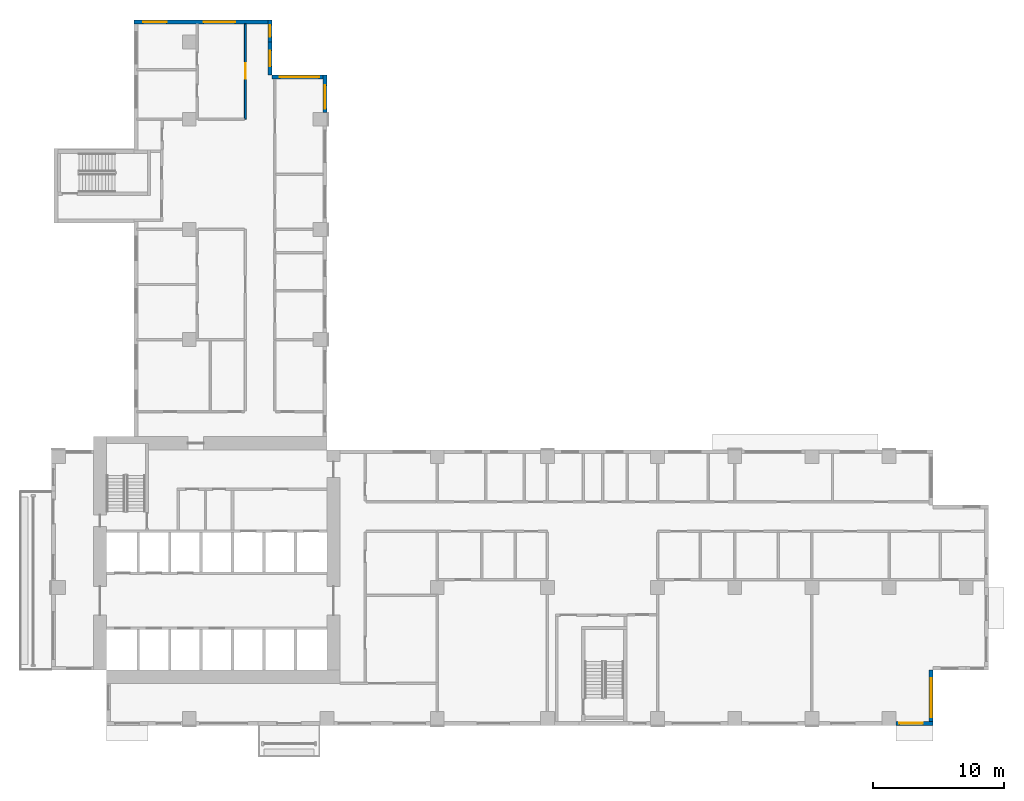
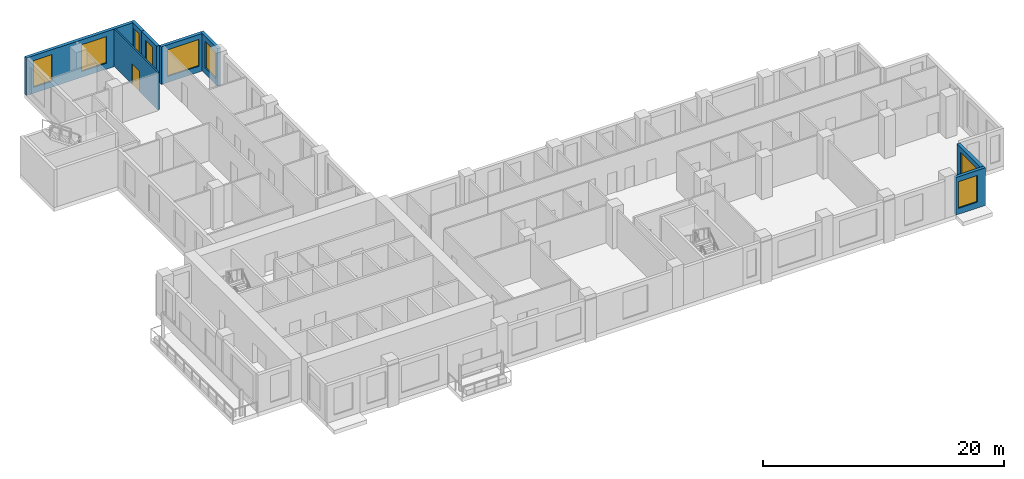
# One storey, part 7 of 13: 8 walls, 8 windows, 1 door, 9 openings.
"""IFC4 building model written with IfcOpenShell, lengths in metres."""

from ifc_helpers import new_model, si_unit, direction, frame, frame_2d, origin, place, context, subcontext, project, spatial, rectangle, extrude, source, transform, mapped, material, layer, layer_set, type_object, element, fill, save


model = new_model("IFC4")

# Units and contexts
model_context = context("Model", 3, precision=1e-05, world=origin(), true_north=direction((0.0, 1.0)))
body_context = subcontext(model_context, "Body", "Model", "MODEL_VIEW")
ifc_project = project(units=[si_unit("LENGTHUNIT", "METRE"), si_unit("AREAUNIT", "SQUARE_METRE"), si_unit("VOLUMEUNIT", "CUBIC_METRE"), si_unit("PLANEANGLEUNIT", "RADIAN"), si_unit("MASSUNIT", "GRAM", prefix="KILO")], contexts=[model_context])

# Site, building, storey
site_placement = place(None, origin())
site = spatial("IfcSite", under=ifc_project, at=site_placement, CompositionType="ELEMENT")
building_placement = place(site_placement, origin())
building = spatial("IfcBuilding", under=site, at=building_placement, Name="Aurelian Terraces", CompositionType="ELEMENT")
storey_placement = place(building_placement, frame((0.0, 0.0, 158.1)))
storey = spatial("IfcBuildingStorey", under=building, at=storey_placement, Name="L35", CompositionType="ELEMENT", Elevation=158.1)

# Wall, opening, window
ifc_material_1 = material(Name="Terracotta rainscreen cladding", Category="masonry")
ifc_layer_1 = layer(ifc_material_1, 0.3)
ifc_layer_set_1 = layer_set([ifc_layer_1], Name="EW-300")
wall_type_1 = type_object("IfcWallType", Name="EW-300", PredefinedType="STANDARD", material=ifc_layer_set_1)
shared_shape_1 = source(origin(), body_context, "Body", "SweptSolid", [
    extrude(rectangle(XDim=4.2, YDim=0.3, at=frame_2d((2.1, 0.0))), origin(), (0.0, 0.0, 1.0), 3.8),
])
wall_1_placement = place(storey_placement, frame((67.05, 0.0, 0.0), z_axis=(0.0, 0.0, 1.0), x_axis=(0.0, 1.0, 0.0)))
wall_1 = element("IfcWall", 1, at=wall_1_placement, inside=storey, type_object=wall_type_1, Name="External wall L35 F02.12", PredefinedType="STANDARD", context=body_context, shape_type="MappedRepresentation", body=[
    mapped(shared_shape_1, transform((0.0, 0.0, 0.0), scale=1.0)),
])
shared_shape_2 = source(origin(), body_context, "Body", "SweptSolid", [
    extrude(rectangle(XDim=3.0, YDim=2.7, at=frame_2d((1.5, 1.35))), frame((0.0, 0.16, 0.0), z_axis=(0.0, -1.0, 0.0), x_axis=(1.0, 0.0, 0.0)), (0.0, 0.0, 1.0), 0.32),
])
opening_1_placement = place(wall_1_placement, frame((0.6, 0.0, 0.6)))
opening_1 = element("IfcOpeningElement", 2, at=opening_1_placement, cuts=wall_1, Name="Opening W3027", PredefinedType="OPENING", context=body_context, shape_type="MappedRepresentation", body=[
    mapped(shared_shape_2, transform((0.0, 0.0, 0.0), scale=1.0)),
])
ifc_material_2 = material(Name="Clear glazing", Category="glass")
window_type_1 = type_object("IfcWindowType", Name="W-3000x2700", PartitioningType="SINGLE_PANEL", PredefinedType="WINDOW", material=ifc_material_2)
shared_shape_3 = source(origin(), body_context, "Body", "SweptSolid", [
    extrude(rectangle(XDim=3.0, YDim=2.7, at=frame_2d((1.5, 1.35))), frame((0.0, 0.03, 0.0), z_axis=(0.0, -1.0, 0.0), x_axis=(1.0, 0.0, 0.0)), (0.0, 0.0, 1.0), 0.06),
])
window_1_placement = place(opening_1_placement, origin())
window_1 = element("IfcWindow", 3, at=window_1_placement, inside=storey, type_object=window_type_1, Name="Window L35 L35-F02-12-0", OverallHeight=2.7, OverallWidth=3.0, PartitioningType="SINGLE_PANEL", PredefinedType="WINDOW", context=body_context, shape_type="MappedRepresentation", body=[
    mapped(shared_shape_3, transform((0.0, 0.0, 0.0), scale=1.0)),
])
fill(opening_1, window_1)

wall_2_placement = place(storey_placement, frame((21.0, 49.41, 0.0), z_axis=(0.0, 0.0, 1.0), x_axis=(-1.0, 0.0, 0.0)))
wall_2 = element("IfcWall", 4, at=wall_2_placement, inside=storey, type_object=wall_type_1, Name="External wall L35 F09.25", PredefinedType="STANDARD", context=body_context, shape_type="MappedRepresentation", body=[
    mapped(shared_shape_1, transform((0.0, 0.0, 0.0), scale=1.0)),
])
opening_2_placement = place(wall_2_placement, frame((0.6, 0.0, 0.6)))
opening_2 = element("IfcOpeningElement", 5, at=opening_2_placement, cuts=wall_2, Name="Opening W3027", PredefinedType="OPENING", context=body_context, shape_type="MappedRepresentation", body=[
    mapped(shared_shape_2, transform((0.0, 0.0, 0.0), scale=1.0)),
])
window_2_placement = place(opening_2_placement, origin())
window_2 = element("IfcWindow", 6, at=window_2_placement, inside=storey, type_object=window_type_1, Name="Window L35 L35-F09-25-0", OverallHeight=2.7, OverallWidth=3.0, PartitioningType="SINGLE_PANEL", PredefinedType="WINDOW", context=body_context, shape_type="MappedRepresentation", body=[
    mapped(shared_shape_3, transform((0.0, 0.0, 0.0), scale=1.0)),
])
fill(opening_2, window_2)

shared_shape_4 = source(origin(), body_context, "Body", "SweptSolid", [
    extrude(rectangle(XDim=2.52, YDim=0.3, at=frame_2d((1.26, 0.0))), origin(), (0.0, 0.0, 1.0), 3.8),
])
wall_3_placement = place(storey_placement, frame((16.65, 49.56, 0.0), z_axis=(0.0, 0.0, 1.0), x_axis=(0.0, 1.0, 0.0)))
wall_3 = element("IfcWall", 7, at=wall_3_placement, inside=storey, type_object=wall_type_1, Name="External wall L35 F10.26", PredefinedType="STANDARD", context=body_context, shape_type="MappedRepresentation", body=[
    mapped(shared_shape_4, transform((0.0, 0.0, 0.0), scale=1.0)),
])
shared_shape_5 = source(origin(), body_context, "Body", "SweptSolid", [
    extrude(rectangle(XDim=1.2, YDim=2.7, at=frame_2d((0.6, 1.35))), frame((0.0, 0.16, 0.0), z_axis=(0.0, -1.0, 0.0), x_axis=(1.0, 0.0, 0.0)), (0.0, 0.0, 1.0), 0.32),
])
opening_3_placement = place(wall_3_placement, frame((0.66, 0.0, 0.6)))
opening_3 = element("IfcOpeningElement", 8, at=opening_3_placement, cuts=wall_3, Name="Opening W1227", PredefinedType="OPENING", context=body_context, shape_type="MappedRepresentation", body=[
    mapped(shared_shape_5, transform((0.0, 0.0, 0.0), scale=1.0)),
])
window_type_2 = type_object("IfcWindowType", Name="W-1200x2700", PartitioningType="SINGLE_PANEL", PredefinedType="WINDOW", material=ifc_material_2)
shared_shape_6 = source(origin(), body_context, "Body", "SweptSolid", [
    extrude(rectangle(XDim=1.2, YDim=2.7, at=frame_2d((0.6, 1.35))), frame((0.0, 0.03, 0.0), z_axis=(0.0, -1.0, 0.0), x_axis=(1.0, 0.0, 0.0)), (0.0, 0.0, 1.0), 0.06),
])
window_3_placement = place(opening_3_placement, origin())
window_3 = element("IfcWindow", 9, at=window_3_placement, inside=storey, type_object=window_type_2, Name="Window L35 L35-F10-26-0", OverallHeight=2.7, OverallWidth=1.2, PartitioningType="SINGLE_PANEL", PredefinedType="WINDOW", context=body_context, shape_type="MappedRepresentation", body=[
    mapped(shared_shape_6, transform((0.0, 0.0, 0.0), scale=1.0)),
])
fill(opening_3, window_3)

shared_shape_7 = source(origin(), body_context, "Body", "SweptSolid", [
    extrude(rectangle(XDim=1.68, YDim=0.3, at=frame_2d((0.84, 0.0))), origin(), (0.0, 0.0, 1.0), 3.8),
])
wall_4_placement = place(storey_placement, frame((16.65, 52.08, 0.0), z_axis=(0.0, 0.0, 1.0), x_axis=(0.0, 1.0, 0.0)))
wall_4 = element("IfcWall", 10, at=wall_4_placement, inside=storey, type_object=wall_type_1, Name="External wall L35 F10.27", PredefinedType="STANDARD", context=body_context, shape_type="MappedRepresentation", body=[
    mapped(shared_shape_7, transform((0.0, 0.0, 0.0), scale=1.0)),
])
shared_shape_8 = source(origin(), body_context, "Body", "SweptSolid", [
    extrude(rectangle(XDim=0.9, YDim=2.7, at=frame_2d((0.45, 1.35))), frame((0.0, 0.16, 0.0), z_axis=(0.0, -1.0, 0.0), x_axis=(1.0, 0.0, 0.0)), (0.0, 0.0, 1.0), 0.32),
])
opening_4_placement = place(wall_4_placement, frame((0.39, 0.0, 0.6)))
opening_4 = element("IfcOpeningElement", 11, at=opening_4_placement, cuts=wall_4, Name="Opening W0927", PredefinedType="OPENING", context=body_context, shape_type="MappedRepresentation", body=[
    mapped(shared_shape_8, transform((0.0, 0.0, 0.0), scale=1.0)),
])
window_type_3 = type_object("IfcWindowType", Name="W-900x2700", PartitioningType="SINGLE_PANEL", PredefinedType="WINDOW", material=ifc_material_2)
shared_shape_9 = source(origin(), body_context, "Body", "SweptSolid", [
    extrude(rectangle(XDim=0.9, YDim=2.7, at=frame_2d((0.45, 1.35))), frame((0.0, 0.03, 0.0), z_axis=(0.0, -1.0, 0.0), x_axis=(1.0, 0.0, 0.0)), (0.0, 0.0, 1.0), 0.06),
])
window_4_placement = place(opening_4_placement, origin())
window_4 = element("IfcWindow", 12, at=window_4_placement, inside=storey, type_object=window_type_3, Name="Window L35 L35-F10-27-P0", OverallHeight=2.7, OverallWidth=0.9, PartitioningType="SINGLE_PANEL", PredefinedType="WINDOW", context=body_context, shape_type="MappedRepresentation", body=[
    mapped(shared_shape_9, transform((0.0, 0.0, 0.0), scale=1.0)),
])
fill(opening_4, window_4)

shared_shape_10 = source(origin(), body_context, "Body", "SweptSolid", [
    extrude(rectangle(XDim=2.835, YDim=0.3, at=frame_2d((1.4175, 0.0))), origin(), (0.0, 0.0, 1.0), 3.8),
])
wall_5_placement = place(storey_placement, frame((64.365, 0.15, 0.0), z_axis=(0.0, 0.0, 1.0), x_axis=(1.0, 0.0, 0.0)))
wall_5 = element("IfcWall", 13, at=wall_5_placement, inside=storey, type_object=wall_type_1, Name="External wall L35 F01.11", PredefinedType="STANDARD", context=body_context, shape_type="MappedRepresentation", body=[
    mapped(shared_shape_10, transform((0.0, 0.0, 0.0), scale=1.0)),
])
shared_shape_11 = source(origin(), body_context, "Body", "SweptSolid", [
    extrude(rectangle(XDim=1.8, YDim=2.7, at=frame_2d((0.9, 1.35))), frame((0.0, 0.16, 0.0), z_axis=(0.0, -1.0, 0.0), x_axis=(1.0, 0.0, 0.0)), (0.0, 0.0, 1.0), 0.32),
])
opening_5_placement = place(wall_5_placement, frame((0.255, 0.0, 0.6)))
opening_5 = element("IfcOpeningElement", 14, at=opening_5_placement, cuts=wall_5, Name="Opening W1827", PredefinedType="OPENING", context=body_context, shape_type="MappedRepresentation", body=[
    mapped(shared_shape_11, transform((0.0, 0.0, 0.0), scale=1.0)),
])
window_type_4 = type_object("IfcWindowType", Name="W-1800x2700", PartitioningType="SINGLE_PANEL", PredefinedType="WINDOW", material=ifc_material_2)
shared_shape_12 = source(origin(), body_context, "Body", "SweptSolid", [
    extrude(rectangle(XDim=1.8, YDim=2.7, at=frame_2d((0.9, 1.35))), frame((0.0, 0.03, 0.0), z_axis=(0.0, -1.0, 0.0), x_axis=(1.0, 0.0, 0.0)), (0.0, 0.0, 1.0), 0.06),
])
window_5_placement = place(opening_5_placement, origin())
window_5 = element("IfcWindow", 15, at=window_5_placement, inside=storey, type_object=window_type_4, Name="Window L35 L35-F01-11-0", OverallHeight=2.7, OverallWidth=1.8, PartitioningType="SINGLE_PANEL", PredefinedType="WINDOW", context=body_context, shape_type="MappedRepresentation", body=[
    mapped(shared_shape_12, transform((0.0, 0.0, 0.0), scale=1.0)),
])
fill(opening_5, window_5)

wall_6_placement = place(storey_placement, frame((20.85, 46.725, 0.0), z_axis=(0.0, 0.0, 1.0), x_axis=(0.0, 1.0, 0.0)))
wall_6 = element("IfcWall", 16, at=wall_6_placement, inside=storey, type_object=wall_type_1, Name="External wall L35 F08.24", PredefinedType="STANDARD", context=body_context, shape_type="MappedRepresentation", body=[
    mapped(shared_shape_10, transform((0.0, 0.0, 0.0), scale=1.0)),
])
opening_6_placement = place(wall_6_placement, frame((0.255, 0.0, 0.6)))
opening_6 = element("IfcOpeningElement", 17, at=opening_6_placement, cuts=wall_6, Name="Opening W1827", PredefinedType="OPENING", context=body_context, shape_type="MappedRepresentation", body=[
    mapped(shared_shape_11, transform((0.0, 0.0, 0.0), scale=1.0)),
])
window_6_placement = place(opening_6_placement, origin())
window_6 = element("IfcWindow", 18, at=window_6_placement, inside=storey, type_object=window_type_4, Name="Window L35 L35-F08-24-0", OverallHeight=2.7, OverallWidth=1.8, PartitioningType="SINGLE_PANEL", PredefinedType="WINDOW", context=body_context, shape_type="MappedRepresentation", body=[
    mapped(shared_shape_12, transform((0.0, 0.0, 0.0), scale=1.0)),
])
fill(opening_6, window_6)

# Wall, openings, windows
shared_shape_13 = source(origin(), body_context, "Body", "SweptSolid", [
    extrude(rectangle(XDim=10.5, YDim=0.3, at=frame_2d((5.25, 0.0))), origin(), (0.0, 0.0, 1.0), 3.8),
])
wall_7_placement = place(storey_placement, frame((16.8, 53.61, 0.0), z_axis=(0.0, 0.0, 1.0), x_axis=(-1.0, 0.0, 0.0)))
wall_7 = element("IfcWall", 19, at=wall_7_placement, inside=storey, type_object=wall_type_1, Name="External wall L35 F11.28", PredefinedType="STANDARD", context=body_context, shape_type="MappedRepresentation", body=[
    mapped(shared_shape_13, transform((0.0, 0.0, 0.0), scale=1.0)),
])
opening_7_placement = place(wall_7_placement, frame((8.025, 0.0, 0.6)))
opening_7 = element("IfcOpeningElement", 20, at=opening_7_placement, cuts=wall_7, Name="Opening W1827", PredefinedType="OPENING", context=body_context, shape_type="MappedRepresentation", body=[
    mapped(shared_shape_11, transform((0.0, 0.0, 0.0), scale=1.0)),
])
shared_shape_14 = source(origin(), body_context, "Body", "SweptSolid", [
    extrude(rectangle(XDim=2.4, YDim=2.7, at=frame_2d((1.2, 1.35))), frame((0.0, 0.16, 0.0), z_axis=(0.0, -1.0, 0.0), x_axis=(1.0, 0.0, 0.0)), (0.0, 0.0, 1.0), 0.32),
])
opening_8_placement = place(wall_7_placement, frame((2.8125, 0.0, 0.6)))
opening_8 = element("IfcOpeningElement", 21, at=opening_8_placement, cuts=wall_7, Name="Opening W2427", PredefinedType="OPENING", context=body_context, shape_type="MappedRepresentation", body=[
    mapped(shared_shape_14, transform((0.0, 0.0, 0.0), scale=1.0)),
])
window_type_5 = type_object("IfcWindowType", Name="W-2400x2700", PartitioningType="SINGLE_PANEL", PredefinedType="WINDOW", material=ifc_material_2)
shared_shape_15 = source(origin(), body_context, "Body", "SweptSolid", [
    extrude(rectangle(XDim=2.4, YDim=2.7, at=frame_2d((1.2, 1.35))), frame((0.0, 0.03, 0.0), z_axis=(0.0, -1.0, 0.0), x_axis=(1.0, 0.0, 0.0)), (0.0, 0.0, 1.0), 0.06),
])
window_7_placement = place(opening_8_placement, origin())
window_7 = element("IfcWindow", 22, at=window_7_placement, inside=storey, type_object=window_type_5, Name="Window L35 L35-F11-28-G0-0", OverallHeight=2.7, OverallWidth=2.4, PartitioningType="SINGLE_PANEL", PredefinedType="WINDOW", context=body_context, shape_type="MappedRepresentation", body=[
    mapped(shared_shape_15, transform((0.0, 0.0, 0.0), scale=1.0)),
])
fill(opening_8, window_7)
window_8_placement = place(opening_7_placement, origin())
window_8 = element("IfcWindow", 23, at=window_8_placement, inside=storey, type_object=window_type_4, Name="Window L35 L35-F11-28-2", OverallHeight=2.7, OverallWidth=1.8, PartitioningType="SINGLE_PANEL", PredefinedType="WINDOW", context=body_context, shape_type="MappedRepresentation", body=[
    mapped(shared_shape_12, transform((0.0, 0.0, 0.0), scale=1.0)),
])
fill(opening_7, window_8)

# Wall, opening, door
ifc_material_3 = material(Name="Gypsum board on steel studs", Category="steel")
ifc_layer_2 = layer(ifc_material_3, 0.15)
ifc_layer_set_2 = layer_set([ifc_layer_2], Name="Fire partition 150")
wall_type_2 = type_object("IfcWallType", Name="Fire partition 150", PredefinedType="PARTITIONING", material=ifc_layer_set_2)
shared_shape_16 = source(origin(), body_context, "Body", "SweptSolid", [
    extrude(rectangle(XDim=7.26, YDim=0.15, at=frame_2d((3.63, 0.0))), origin(), (0.0, 0.0, 1.0), 3.8),
])
wall_8_placement = place(storey_placement, frame((14.775, 46.2, 0.0), z_axis=(0.0, 0.0, 1.0), x_axis=(0.0, 1.0, 0.0)))
wall_8 = element("IfcWall", 24, at=wall_8_placement, inside=storey, type_object=wall_type_2, Name="Corridor wall", PredefinedType="PARTITIONING", context=body_context, shape_type="MappedRepresentation", body=[
    mapped(shared_shape_16, transform((0.0, 0.0, 0.0), scale=1.0)),
])
shared_shape_17 = source(origin(), body_context, "Body", "SweptSolid", [
    extrude(rectangle(XDim=1.2, YDim=2.1, at=frame_2d((0.6, 1.05))), frame((0.0, 0.085, 0.0), z_axis=(0.0, -1.0, 0.0), x_axis=(1.0, 0.0, 0.0)), (0.0, 0.0, 1.0), 0.17),
])
opening_9_placement = place(wall_8_placement, frame((3.0675, 0.0, 0.0)))
opening_9 = element("IfcOpeningElement", 25, at=opening_9_placement, cuts=wall_8, Name="Opening 735037", PredefinedType="OPENING", context=body_context, shape_type="MappedRepresentation", body=[
    mapped(shared_shape_17, transform((0.0, 0.0, 0.0), scale=1.0)),
])
ifc_material_4 = material(Name="Timber door leaf", Category="wood")
door_type = type_object("IfcDoorType", Name="Room door 1200x2100 left", OperationType="SINGLE_SWING_LEFT", PredefinedType="DOOR", material=ifc_material_4)
shared_shape_18 = source(origin(), body_context, "Body", "SweptSolid", [
    extrude(rectangle(XDim=1.2, YDim=2.1, at=frame_2d((0.6, 1.05))), frame((0.0, 0.025, 0.0), z_axis=(0.0, -1.0, 0.0), x_axis=(1.0, 0.0, 0.0)), (0.0, 0.0, 1.0), 0.05),
])
door_placement = place(opening_9_placement, origin())
door = element("IfcDoor", 26, at=door_placement, inside=storey, type_object=door_type, Name="Door 735037", OperationType="SINGLE_SWING_LEFT", OverallHeight=2.1, OverallWidth=1.2, PredefinedType="DOOR", context=body_context, shape_type="MappedRepresentation", body=[
    mapped(shared_shape_18, transform((0.0, 0.0, 0.0), scale=1.0)),
])
fill(opening_9, door)

save(model, "model.ifc")
